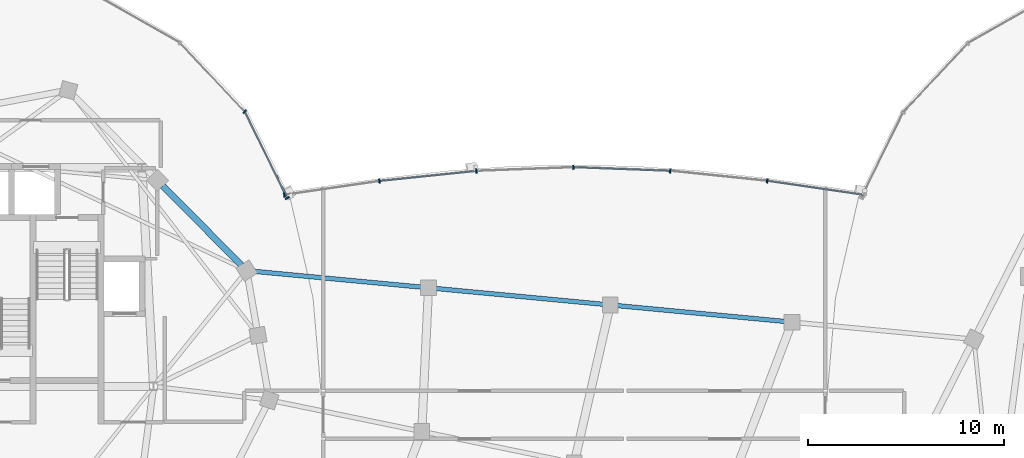
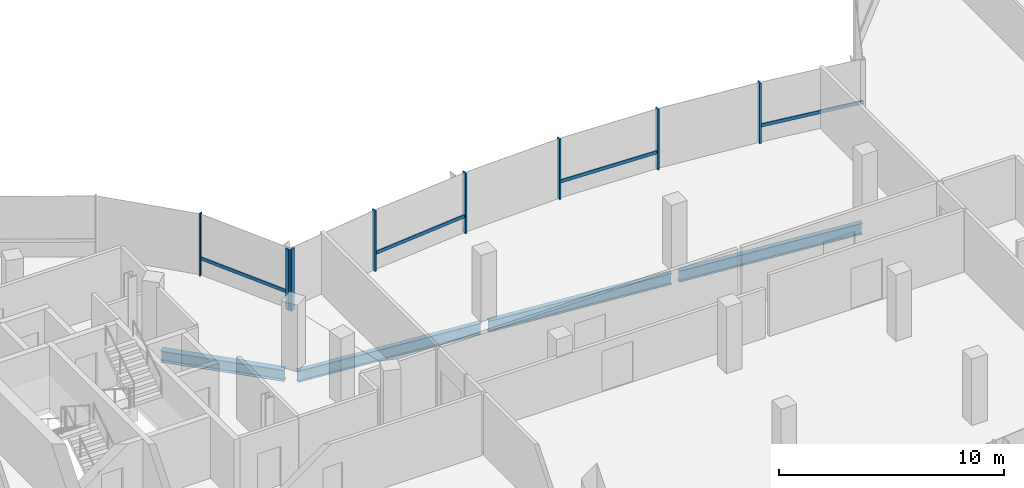
# One storey, part 7 of 24: 12 members, 4 beams, 2 elements without a shape of their own.
"""IFC4 building model written with IfcOpenShell, lengths in metres."""

from ifc_helpers import new_model, si_unit, direction, frame, origin, origin_2d, place, context, subcontext, project, spatial, rectangle, i_section, extrude, material, material_profile, profile_set, type_object, element, aggregate, save


model = new_model("IFC4")

# Units and contexts
model_context = context("Model", 3, precision=1e-05, world=origin(), true_north=direction((0.0, 1.0)))
body_context = subcontext(model_context, "Body", "Model", "MODEL_VIEW")
ifc_project = project(units=[si_unit("LENGTHUNIT", "METRE"), si_unit("AREAUNIT", "SQUARE_METRE"), si_unit("VOLUMEUNIT", "CUBIC_METRE"), si_unit("PLANEANGLEUNIT", "RADIAN"), si_unit("MASSUNIT", "GRAM", prefix="KILO"), si_unit("THERMODYNAMICTEMPERATUREUNIT", "KELVIN"), si_unit("POWERUNIT", "WATT")], contexts=[model_context])

# Site, building, storey
site_placement = place(None, origin())
site = spatial("IfcSite", under=ifc_project, at=site_placement, CompositionType="ELEMENT")
building_placement = place(site_placement, origin())
building = spatial("IfcBuilding", under=site, at=building_placement, Name="Cundina Bronze Exchange", CompositionType="ELEMENT")
storey_placement = place(building_placement, frame((0.0, 0.0, 268.39990234375)))
storey = spatial("IfcBuildingStorey", under=building, at=storey_placement, Name="L71", CompositionType="ELEMENT", Elevation=268.39990234375)

# Beams
ifc_material_1 = material(Name="Steel ASTM A992 Grade 50", Category="steel")
ifc_material_profile_1 = material_profile(ifc_material_1, i_section(OverallWidth=0.22998046875, OverallDepth=0.616943359375, WebThickness=0.01318359375, FlangeThickness=0.022216796875, FilletRadius=0.013916015625, at=origin_2d()), Name="W24X94", Category="steel")
ifc_profile_set_1 = profile_set([ifc_material_profile_1], Name="Steel ASTM A992 Grade 50")
beam_type_1 = type_object("IfcBeamType", Name="BM-FLR-W24B", PredefinedType="BEAM", material=ifc_profile_set_1)
beam_1_placement = place(storey_placement, frame((-16.520751953125, 9.783203125, -0.62841796875), z_axis=(0.995572136276, -0.094000646124, 0.0), x_axis=(0.094000646124, 0.995572136276, 0.0)))
element("IfcBeam", 1, at=beam_1_placement, inside=storey, type_object=beam_type_1, Name="L71 Sky-Gate Longitudinal Girder Y3-P1", PredefinedType="BEAM", context=body_context, shape_type="SweptSolid", body=[
    extrude(i_section(OverallWidth=0.22998046875, OverallDepth=0.616943359375, WebThickness=0.01318359375, FlangeThickness=0.022216796875, FilletRadius=0.013916015625, at=origin_2d()), origin(), (0.0, 0.0, 1.0), 8.949951171875),
])
beam_2_placement = place(storey_placement, frame((-7.251953125, 8.908203125, -0.62841796875), z_axis=(0.995571895232, -0.094003199007, 0.0), x_axis=(0.094003199007, 0.995571895232, 0.0)))
element("IfcBeam", 2, at=beam_2_placement, inside=storey, type_object=beam_type_1, Name="L71 Sky-Gate Longitudinal Girder Y3-P2", PredefinedType="BEAM", context=body_context, shape_type="SweptSolid", body=[
    extrude(i_section(OverallWidth=0.22998046875, OverallDepth=0.616943359375, WebThickness=0.01318359375, FlangeThickness=0.022216796875, FilletRadius=0.013916015625, at=origin_2d()), origin(), (0.0, 0.0, 1.0), 8.94970703125),
])
beam_3_placement = place(storey_placement, frame((2.0166015625, 8.033203125, -0.62841796875), z_axis=(0.995572136276, -0.094000646124, 0.0), x_axis=(0.094000646124, 0.995572136276, 0.0)))
element("IfcBeam", 3, at=beam_3_placement, inside=storey, type_object=beam_type_1, Name="L71 Sky-Gate Longitudinal Girder Y3-P3", PredefinedType="BEAM", context=body_context, shape_type="SweptSolid", body=[
    extrude(i_section(OverallWidth=0.22998046875, OverallDepth=0.616943359375, WebThickness=0.01318359375, FlangeThickness=0.022216796875, FilletRadius=0.013916015625, at=origin_2d()), origin(), (0.0, 0.0, 1.0), 8.949951171875),
])
ifc_material_profile_2 = material_profile(ifc_material_1, i_section(OverallWidth=0.324951171875, OverallDepth=0.615966796875, WebThickness=0.013916015625, FlangeThickness=0.021484375, FilletRadius=0.01611328125, at=origin_2d()), Name="W24X117", Category="steel")
ifc_profile_set_2 = profile_set([ifc_material_profile_2], Name="Steel ASTM A992 Grade 50")
beam_type_2 = type_object("IfcBeamType", Name="BM-RING-W24", PredefinedType="USERDEFINED", material=ifc_profile_set_2)
beam_4_placement = place(storey_placement, frame((-16.972900390625, 10.075927734375, -0.56787109375), z_axis=(-0.703237257446, 0.710955244541, 0.0), x_axis=(-0.710955244541, -0.703237257446, 0.0)))
element("IfcBeam", 4, at=beam_4_placement, inside=storey, type_object=beam_type_2, Name="L71 W Perimeter Ring Girder 02", ObjectType="GIRDER", PredefinedType="USERDEFINED", context=body_context, shape_type="SweptSolid", body=[
    extrude(i_section(OverallWidth=0.324951171875, OverallDepth=0.615966796875, WebThickness=0.013916015625, FlangeThickness=0.021484375, FilletRadius=0.01611328125, at=origin_2d()), origin(), (0.0, 0.0, 1.0), 5.69384765625),
])

# Curtain wall, members
ifc_material_2 = material(Name="Anodised Bronze Aluminium 6063-T6", Category="aluminium")
curtain_wall_type = type_object("IfcCurtainWallType", Name="CWS-SKG-BRG", PredefinedType="NOTDEFINED", material=ifc_material_2)
curtain_wall_1_placement = place(storey_placement, origin())
curtain_wall_1 = element("IfcCurtainWall", 5, at=curtain_wall_1_placement, inside=storey, type_object=curtain_wall_type, Name="L71 CW-06 Curtain Wall Run CWR-L71-W1", PredefinedType="NOTDEFINED")
ifc_material_profile_3 = material_profile(ifc_material_2, rectangle(XDim=0.074951171875, YDim=0.219970703125, at=origin_2d()), Name="AL75X220", Category="aluminium")
ifc_profile_set_3 = profile_set([ifc_material_profile_3], Name="Anodised Bronze Aluminium 6063-T6")
member_type_1 = type_object("IfcMemberType", Name="CWM-MUL-220", PredefinedType="MULLION", material=ifc_profile_set_3)
member_1_placement = place(storey_placement, frame((-14.630859375, 13.50390625, 0.0), z_axis=(0.0, 0.0, 1.0), x_axis=(-0.440566004113, 0.897720221461, 0.0)))
member_1 = element("IfcMember", 6, at=member_1_placement, type_object=member_type_1, Name="CW-06 Mullion 1", PredefinedType="MULLION", context=body_context, shape_type="SweptSolid", body=[
    extrude(rectangle(XDim=0.074951171875, YDim=0.219970703125, at=origin_2d()), origin(), (0.0, 0.0, 1.0), 3.340087890625),
])
member_2_placement = place(storey_placement, frame((-16.8037109375, 17.910400390625, 0.0), z_axis=(0.0, 0.0, 1.0), x_axis=(-0.684292606175, 0.729207535023, 0.0)))
member_2 = element("IfcMember", 7, at=member_2_placement, type_object=member_type_1, Name="CW-06 Mullion 2", PredefinedType="MULLION", context=body_context, shape_type="SweptSolid", body=[
    extrude(rectangle(XDim=0.074951171875, YDim=0.219970703125, at=origin_2d()), origin(), (0.0, 0.0, 1.0), 3.340087890625),
])

curtain_wall_2_placement = place(storey_placement, origin())
curtain_wall_2 = element("IfcCurtainWall", 8, at=curtain_wall_2_placement, inside=storey, type_object=curtain_wall_type, Name="L71 CW-06 Curtain Wall Run CWR-L71-BRGN", PredefinedType="NOTDEFINED")
member_3_placement = place(storey_placement, frame((9.83447265625, 14.378173828125, 0.0), z_axis=(0.0, 0.0, 1.0), x_axis=(-0.994666875153, 0.103139747302, 0.0)))
member_3 = element("IfcMember", 9, at=member_3_placement, type_object=member_type_1, Name="CW-06 Mullion 2", PredefinedType="MULLION", context=body_context, shape_type="SweptSolid", body=[
    extrude(rectangle(XDim=0.074951171875, YDim=0.219970703125, at=origin_2d()), origin(), (0.0, 0.0, 1.0), 3.280029296875),
])
member_4_placement = place(storey_placement, frame((4.892578125, 14.88720703125, 0.0), z_axis=(0.0, 0.0, 1.0), x_axis=(-0.999302568116, 0.037341362551, 0.0)))
member_4 = element("IfcMember", 10, at=member_4_placement, type_object=member_type_1, Name="CW-06 Mullion 3", PredefinedType="MULLION", context=body_context, shape_type="SweptSolid", body=[
    extrude(rectangle(XDim=0.074951171875, YDim=0.219970703125, at=origin_2d()), origin(), (0.0, 0.0, 1.0), 3.280029296875),
])
member_5_placement = place(storey_placement, frame((-0.047607421875, 15.068115234375, 0.0), z_axis=(0.0, 0.0, 1.0), x_axis=(-0.999302568116, -0.037341362551, 0.0)))
member_5 = element("IfcMember", 11, at=member_5_placement, type_object=member_type_1, Name="CW-06 Mullion 4", PredefinedType="MULLION", context=body_context, shape_type="SweptSolid", body=[
    extrude(rectangle(XDim=0.074951171875, YDim=0.219970703125, at=origin_2d()), origin(), (0.0, 0.0, 1.0), 3.280029296875),
])
member_6_placement = place(storey_placement, frame((-4.98876953125, 14.88037109375, 0.0), z_axis=(0.0, 0.0, 1.0), x_axis=(-0.994666875153, -0.103139747302, 0.0)))
member_6 = element("IfcMember", 12, at=member_6_placement, type_object=member_type_1, Name="CW-06 Mullion 5", PredefinedType="MULLION", context=body_context, shape_type="SweptSolid", body=[
    extrude(rectangle(XDim=0.074951171875, YDim=0.219970703125, at=origin_2d()), origin(), (0.0, 0.0, 1.0), 3.280029296875),
])
member_7_placement = place(storey_placement, frame((-9.93310546875, 14.36572265625, 0.0), z_axis=(0.0, 0.0, 1.0), x_axis=(-0.989525789069, -0.144356201001, 0.0)))
member_7 = element("IfcMember", 13, at=member_7_placement, type_object=member_type_1, Name="CW-06 Mullion 6", PredefinedType="MULLION", context=body_context, shape_type="SweptSolid", body=[
    extrude(rectangle(XDim=0.074951171875, YDim=0.219970703125, at=origin_2d()), origin(), (0.0, 0.0, 1.0), 3.280029296875),
])
member_8_placement = place(storey_placement, frame((-14.779296875, 13.658935546875, 0.0), z_axis=(0.0, 0.0, 1.0), x_axis=(-0.989525789069, -0.144356201001, 0.0)))
member_8 = element("IfcMember", 14, at=member_8_placement, type_object=member_type_1, Name="CW-06 End Mullion", PredefinedType="MULLION", context=body_context, shape_type="SweptSolid", body=[
    extrude(rectangle(XDim=0.074951171875, YDim=0.219970703125, at=origin_2d()), origin(), (0.0, 0.0, 1.0), 3.280029296875),
])

# Member
ifc_material_profile_4 = material_profile(ifc_material_2, rectangle(XDim=0.070068359375, YDim=0.179931640625, at=origin_2d()), Name="AL70X180", Category="aluminium")
ifc_profile_set_4 = profile_set([ifc_material_profile_4], Name="Anodised Bronze Aluminium 6063-T6")
member_type_2 = type_object("IfcMemberType", Name="CWM-TRN-180", PredefinedType="USERDEFINED", material=ifc_profile_set_4)
member_9_placement = place(storey_placement, frame((-14.64892578125, 13.541015625, 0.920166015625), z_axis=(-0.440554408939, 0.897725911826, 0.0), x_axis=(-0.897725911826, -0.440554408939, 0.0)))
member_9 = element("IfcMember", 15, at=member_9_placement, type_object=member_type_2, Name="CW-06 Spandrel Transom 1", ObjectType="TRANSOM", PredefinedType="USERDEFINED", context=body_context, shape_type="SweptSolid", body=[
    extrude(rectangle(XDim=0.070068359375, YDim=0.179931640625, at=origin_2d()), origin(), (0.0, 0.0, 1.0), 4.848388671875),
])

aggregate(curtain_wall_1, [member_1, member_9, member_2])

member_10_placement = place(storey_placement, frame((14.738525390625, 13.664794921875, 0.91845703125), z_axis=(-0.989531497997, 0.144317062302, 0.0), x_axis=(-0.144317062302, -0.989531497997, 0.0)))
member_10 = element("IfcMember", 16, at=member_10_placement, type_object=member_type_2, Name="CW-06 Spandrel Transom 1", ObjectType="TRANSOM", PredefinedType="USERDEFINED", context=body_context, shape_type="SweptSolid", body=[
    extrude(rectangle(XDim=0.070068359375, YDim=0.179931640625, at=origin_2d()), origin(), (0.0, 0.0, 1.0), 4.8974609375),
])

member_11_placement = place(storey_placement, frame((4.8515625, 14.888671875, 0.91845703125), z_axis=(-0.999303683555, 0.037311500026, 0.0), x_axis=(-0.037311500026, -0.999303683555, 0.0)))
member_11 = element("IfcMember", 17, at=member_11_placement, type_object=member_type_2, Name="CW-06 Spandrel Transom 3", ObjectType="TRANSOM", PredefinedType="USERDEFINED", context=body_context, shape_type="SweptSolid", body=[
    extrude(rectangle(XDim=0.070068359375, YDim=0.179931640625, at=origin_2d()), origin(), (0.0, 0.0, 1.0), 4.8486328125),
])

member_12_placement = place(storey_placement, frame((-5.02978515625, 14.8759765625, 0.91845703125), z_axis=(-0.994672497027, -0.103085516243, 0.0), x_axis=(0.103085516243, -0.994672497027, 0.0)))
member_12 = element("IfcMember", 18, at=member_12_placement, type_object=member_type_2, Name="CW-06 Spandrel Transom 5", ObjectType="TRANSOM", PredefinedType="USERDEFINED", context=body_context, shape_type="SweptSolid", body=[
    extrude(rectangle(XDim=0.070068359375, YDim=0.179931640625, at=origin_2d()), origin(), (0.0, 0.0, 1.0), 4.87158203125),
])

aggregate(curtain_wall_2, [member_10, member_3, member_4, member_11, member_5, member_6, member_12, member_7, member_8])

save(model, "model.ifc")
